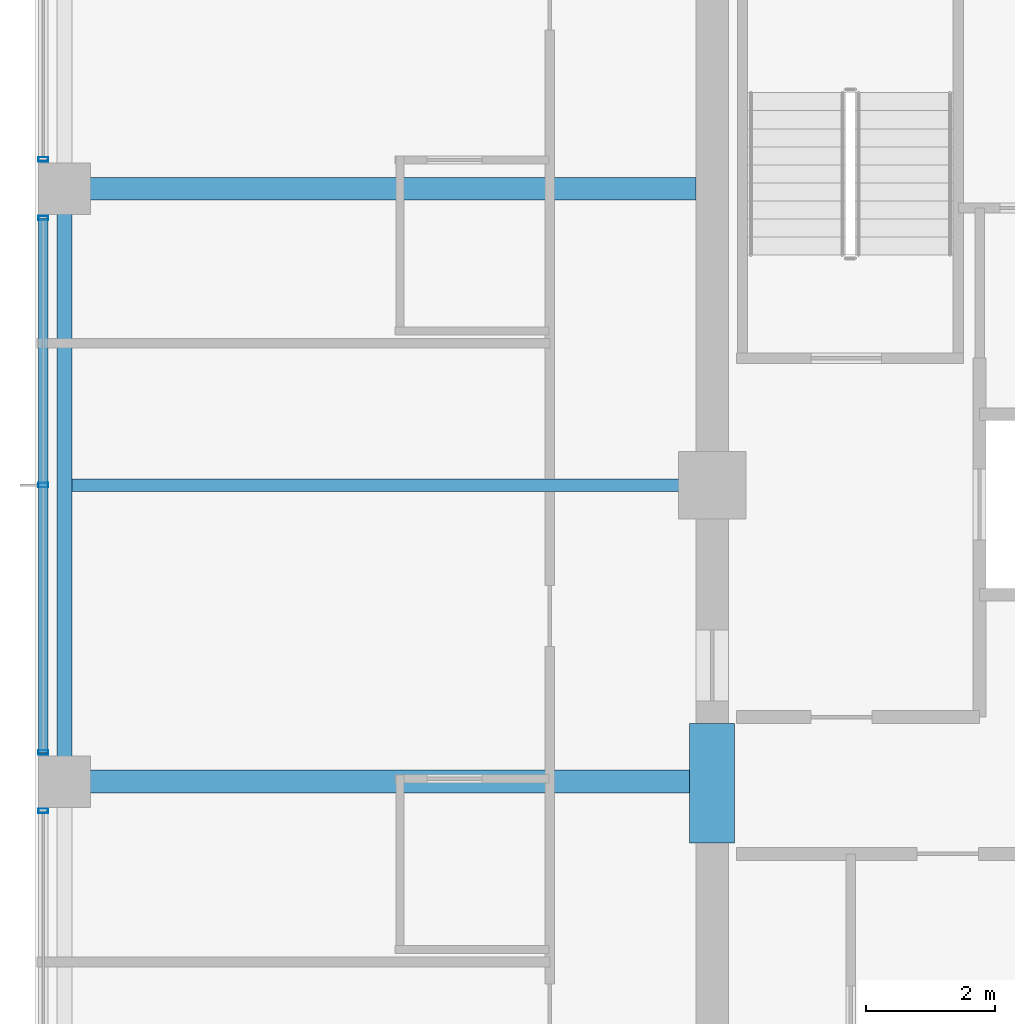
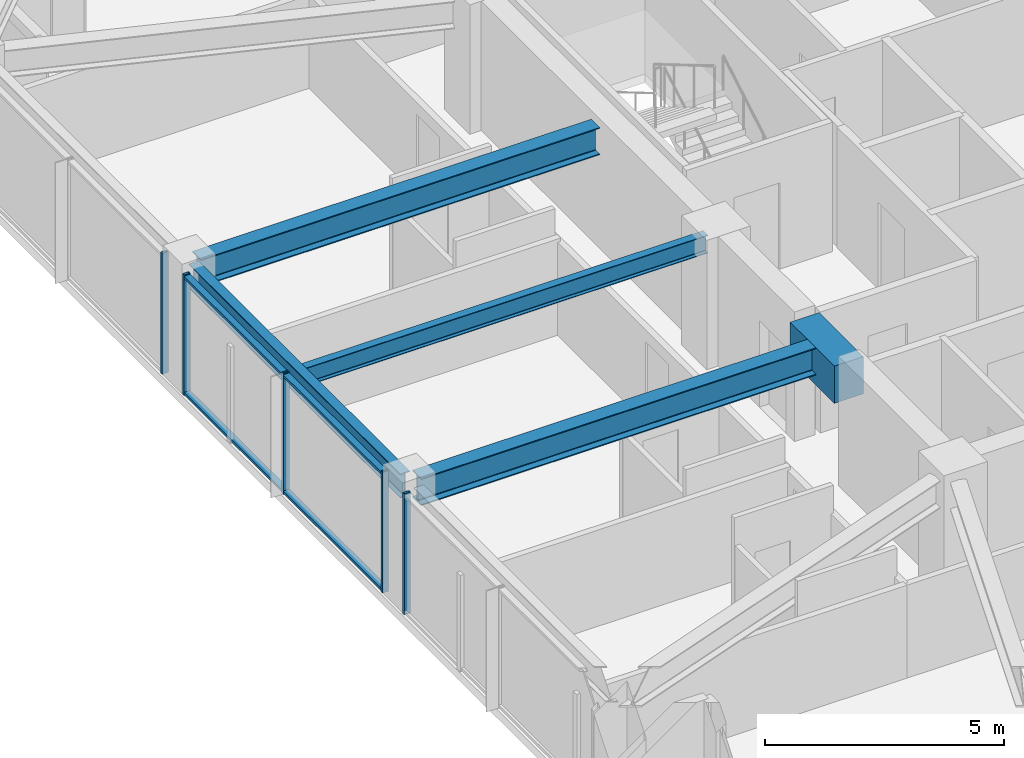
# One storey, part 9 of 36: 7 members, 5 beams, 3 elements without a shape of their own.
"""IFC4 building model written with IfcOpenShell, lengths in metres."""

from ifc_helpers import new_model, si_unit, direction, frame, origin, origin_2d, place, context, subcontext, project, spatial, rectangle, hollow_rectangle, i_section, extrude, material, material_profile, profile_set, type_object, element, aggregate, save


model = new_model("IFC4")

# Units and contexts
model_context = context("Model", 3, precision=1e-05, world=origin(), true_north=direction((0.0, 1.0)))
body_context = subcontext(model_context, "Body", "Model", "MODEL_VIEW")
ifc_project = project(units=[si_unit("LENGTHUNIT", "METRE"), si_unit("AREAUNIT", "SQUARE_METRE"), si_unit("VOLUMEUNIT", "CUBIC_METRE"), si_unit("PLANEANGLEUNIT", "RADIAN"), si_unit("MASSUNIT", "GRAM", prefix="KILO")], contexts=[model_context])

# Site, building, storey
site_placement = place(None, origin())
site = spatial("IfcSite", under=ifc_project, at=site_placement, CompositionType="ELEMENT")
building_placement = place(site_placement, origin())
building = spatial("IfcBuilding", under=site, at=building_placement, Name="Kolvaren Belvedere", CompositionType="ELEMENT")
storey_placement = place(building_placement, frame((0.0, 0.0, 199.800048828125)))
storey = spatial("IfcBuildingStorey", under=building, at=storey_placement, Name="L58", CompositionType="ELEMENT", Elevation=199.800048828125)

# Beams
ifc_material_1 = material(Name="Structural steel ASTM A992 Grade 50", Category="steel")
ifc_material_profile_1 = material_profile(ifc_material_1, i_section(OverallWidth=0.35498046875, OverallDepth=0.696044921875, WebThickness=0.015380859375, FlangeThickness=0.02490234375, FilletRadius=0.02197265625, at=origin_2d()), Name="W27X146")
ifc_profile_set_1 = profile_set([ifc_material_profile_1], Name="Structural steel ASTM A992 Grade 50")
beam_type_1 = type_object("IfcBeamType", Name="BM-GIRD-W27X146", PredefinedType="BEAM", material=ifc_profile_set_1)
for number, where, z_axis, x_axis, name in (
    (1, (-10.14990234375, 4.60009765625, 2.73193359375), (-1.0, 0.0, 0.0), (0.0, -1.0, 0.0), "L58 West Radial Girder P"),
    (2, (-10.14990234375, -4.60009765625, 2.73193359375), (-1.0, 0.0, 0.0), (0.0, -1.0, 0.0), "L58 West Radial Girder M"),
):
    element("IfcBeam", number, at=place(storey_placement, frame(where, z_axis=z_axis, x_axis=x_axis)), inside=storey, type_object=beam_type_1, Name=name, PredefinedType="BEAM", context=body_context, shape_type="SweptSolid", body=[
        extrude(i_section(OverallWidth=0.35498046875, OverallDepth=0.696044921875, WebThickness=0.015380859375, FlangeThickness=0.02490234375, FilletRadius=0.02197265625, at=origin_2d()), origin(), (0.0, 0.0, 1.0), 9.6201171875),
    ])
ifc_material_2 = material(Name="Structural steel ASTM A992 Grade 50", Category="steel")
ifc_material_profile_2 = material_profile(ifc_material_2, i_section(OverallWidth=0.19091796875, OverallDepth=0.4599609375, WebThickness=0.010009765625, FlangeThickness=0.01611328125, FilletRadius=0.014892578125, at=origin_2d()), Name="W18X55")
ifc_profile_set_2 = profile_set([ifc_material_profile_2], Name="Structural steel ASTM A992 Grade 50")
beam_type_2 = type_object("IfcBeamType", Name="BM-JOIST-W18X55", PredefinedType="BEAM", material=ifc_profile_set_2)
beam_1_placement = place(storey_placement, frame((-10.14990234375, 0.0, 2.849853515625), z_axis=(-1.0, 0.0, 0.0), x_axis=(0.0, -1.0, 0.0)))
element("IfcBeam", 3, at=beam_1_placement, inside=storey, type_object=beam_type_2, Name="L58 West Centre Floor Beam", PredefinedType="BEAM", context=body_context, shape_type="SweptSolid", body=[
    extrude(i_section(OverallWidth=0.19091796875, OverallDepth=0.4599609375, WebThickness=0.010009765625, FlangeThickness=0.01611328125, FilletRadius=0.014892578125, at=origin_2d()), origin(), (0.0, 0.0, 1.0), 9.685546875),
])
ifc_material_3 = material(Name="Concrete C60/75", Category="concrete")
ifc_material_profile_3 = material_profile(ifc_material_3, rectangle(XDim=0.699951171875, YDim=0.949951171875, at=origin_2d()), Name="RC 700X950")
ifc_profile_set_3 = profile_set([ifc_material_profile_3], Name="Concrete C60/75")
beam_type_3 = type_object("IfcBeamType", Name="BM-LINT-950", PredefinedType="LINTEL", material=ifc_profile_set_3)
beam_2_placement = place(storey_placement, frame((-9.89990234375, -5.550048828125, 2.60498046875), z_axis=(0.0, 1.0, 0.0), x_axis=(-1.0, 0.0, 0.0)))
element("IfcBeam", 4, at=beam_2_placement, inside=storey, type_object=beam_type_3, Name="L58 West Core Coupling Lintel", PredefinedType="LINTEL", context=body_context, shape_type="SweptSolid", body=[
    extrude(rectangle(XDim=0.699951171875, YDim=0.949951171875, at=origin_2d()), origin(), (0.0, 0.0, 1.0), 1.85009765625),
])
ifc_material_4 = material(Name="Structural steel ASTM A992 Grade 50", Category="steel")
ifc_material_profile_4 = material_profile(ifc_material_4, i_section(OverallWidth=0.22900390625, OverallDepth=0.612060546875, WebThickness=0.011962890625, FlangeThickness=0.01953125, FilletRadius=0.01806640625, at=origin_2d()), Name="W24X84")
ifc_profile_set_4 = profile_set([ifc_material_profile_4], Name="Structural steel ASTM A992 Grade 50")
beam_type_4 = type_object("IfcBeamType", Name="BM-SPAN-W24X84", PredefinedType="SPANDREL", material=ifc_profile_set_4)
beam_3_placement = place(storey_placement, frame((-19.949951171875, 4.419921875, 2.77392578125), z_axis=(0.0, -1.0, 0.0), x_axis=(1.0, 0.0, 0.0)))
element("IfcBeam", 5, at=beam_3_placement, inside=storey, type_object=beam_type_4, Name="L58 Perimeter Spandrel W3-W2", PredefinedType="SPANDREL", context=body_context, shape_type="SweptSolid", body=[
    extrude(i_section(OverallWidth=0.22900390625, OverallDepth=0.612060546875, WebThickness=0.011962890625, FlangeThickness=0.01953125, FilletRadius=0.01806640625, at=origin_2d()), origin(), (0.0, 0.0, 1.0), 8.83984375),
])

# Curtain wall, member
ifc_material_5 = material(Name="Anodised pale-metal aluminium AA 6063-T6", Category="aluminium")
curtain_wall_type = type_object("IfcCurtainWallType", Name="CW-Z5-HIGH", PredefinedType="NOTDEFINED", material=ifc_material_5)
curtain_wall_1_placement = place(storey_placement, origin())
curtain_wall_1 = element("IfcCurtainWall", 6, at=curtain_wall_1_placement, inside=storey, type_object=curtain_wall_type, Name="L58 Unitised Curtain Wall FCW-L58-W-B1", PredefinedType="NOTDEFINED")
ifc_material_6 = material(Name="Anodised pale-metal aluminium AA 6063-T6", Category="aluminium")
ifc_material_profile_5 = material_profile(ifc_material_6, hollow_rectangle(XDim=0.070068359375, YDim=0.14990234375, WallThickness=0.004150390625, at=origin_2d()), Name="ALU-MUL-150X70")
ifc_profile_set_5 = profile_set([ifc_material_profile_5], Name="Anodised pale-metal aluminium AA 6063-T6")
member_type_1 = type_object("IfcMemberType", Name="CW-MUL-150", PredefinedType="MULLION", material=ifc_profile_set_5)
member_1_placement = place(storey_placement, frame((-20.280029296875, -5.054931640625, 0.0), z_axis=(0.0, 0.0, 1.0), x_axis=(0.0, 1.0, 0.0)))
member_1 = element("IfcMember", 7, at=member_1_placement, type_object=member_type_1, Name="FCW-L58-W-B1 Unitised Mullion 3", PredefinedType="MULLION", context=body_context, shape_type="SweptSolid", body=[
    extrude(hollow_rectangle(XDim=0.070068359375, YDim=0.14990234375, WallThickness=0.004150390625, at=origin_2d()), origin(), (0.0, 0.0, 1.0), 3.079833984375),
])
aggregate(curtain_wall_1, [member_1])

# Curtain wall, members
curtain_wall_2_placement = place(storey_placement, origin())
curtain_wall_2 = element("IfcCurtainWall", 8, at=curtain_wall_2_placement, inside=storey, type_object=curtain_wall_type, Name="L58 Unitised Curtain Wall FCW-L58-W-B2", PredefinedType="NOTDEFINED")
member_2_placement = place(storey_placement, frame((-20.280029296875, -4.14501953125, 0.0), z_axis=(0.0, 0.0, 1.0), x_axis=(0.0, 1.0, 0.0)))
member_2 = element("IfcMember", 9, at=member_2_placement, type_object=member_type_1, Name="FCW-L58-W-B2 Unitised Mullion 1", PredefinedType="MULLION", context=body_context, shape_type="SweptSolid", body=[
    extrude(hollow_rectangle(XDim=0.070068359375, YDim=0.14990234375, WallThickness=0.004150390625, at=origin_2d()), origin(), (0.0, 0.0, 1.0), 3.079833984375),
])
member_3_placement = place(storey_placement, frame((-20.280029296875, 0.0, 0.0), z_axis=(0.0, 0.0, 1.0), x_axis=(0.0, 1.0, 0.0)))
member_3 = element("IfcMember", 10, at=member_3_placement, type_object=member_type_1, Name="FCW-L58-W-B2 Unitised Mullion 2", PredefinedType="MULLION", context=body_context, shape_type="SweptSolid", body=[
    extrude(hollow_rectangle(XDim=0.070068359375, YDim=0.14990234375, WallThickness=0.004150390625, at=origin_2d()), origin(), (0.0, 0.0, 1.0), 3.079833984375),
])
member_4_placement = place(storey_placement, frame((-20.280029296875, 4.14501953125, 0.0), z_axis=(0.0, 0.0, 1.0), x_axis=(0.0, 1.0, 0.0)))
member_4 = element("IfcMember", 11, at=member_4_placement, type_object=member_type_1, Name="FCW-L58-W-B2 Unitised Mullion 3", PredefinedType="MULLION", context=body_context, shape_type="SweptSolid", body=[
    extrude(hollow_rectangle(XDim=0.070068359375, YDim=0.14990234375, WallThickness=0.004150390625, at=origin_2d()), origin(), (0.0, 0.0, 1.0), 3.079833984375),
])

# Curtain wall, member
curtain_wall_3_placement = place(storey_placement, origin())
curtain_wall_3 = element("IfcCurtainWall", 12, at=curtain_wall_3_placement, inside=storey, type_object=curtain_wall_type, Name="L58 Unitised Curtain Wall FCW-L58-W-B3", PredefinedType="NOTDEFINED")
member_5_placement = place(storey_placement, frame((-20.280029296875, 5.054931640625, 0.0), z_axis=(0.0, 0.0, 1.0), x_axis=(0.0, 1.0, 0.0)))
member_5 = element("IfcMember", 13, at=member_5_placement, type_object=member_type_1, Name="FCW-L58-W-B3 Unitised Mullion 1", PredefinedType="MULLION", context=body_context, shape_type="SweptSolid", body=[
    extrude(hollow_rectangle(XDim=0.070068359375, YDim=0.14990234375, WallThickness=0.004150390625, at=origin_2d()), origin(), (0.0, 0.0, 1.0), 3.079833984375),
])
aggregate(curtain_wall_3, [member_5])

# Member
ifc_material_7 = material(Name="Anodised pale-metal aluminium AA 6063-T6", Category="aluminium")
ifc_material_profile_6 = material_profile(ifc_material_7, hollow_rectangle(XDim=0.06494140625, YDim=0.14990234375, WallThickness=0.00390625, at=origin_2d()), Name="ALU-TRN-150X65")
ifc_profile_set_6 = profile_set([ifc_material_profile_6], Name="Anodised pale-metal aluminium AA 6063-T6")
member_type_2 = type_object("IfcMemberType", Name="CW-TRN-150", PredefinedType="USERDEFINED", material=ifc_profile_set_6)
member_6_placement = place(storey_placement, frame((-20.280029296875, -4.14501953125, 0.06005859375), z_axis=(0.0, 1.0, 0.0), x_axis=(0.0, 0.0, 1.0)))
member_6 = element("IfcMember", 14, at=member_6_placement, type_object=member_type_2, Name="FCW-L58-W-B2 Sill Transom", ObjectType="TRANSOM", PredefinedType="USERDEFINED", context=body_context, shape_type="SweptSolid", body=[
    extrude(hollow_rectangle(XDim=0.06494140625, YDim=0.14990234375, WallThickness=0.00390625, at=origin_2d()), origin(), (0.0, 0.0, 1.0), 8.2900390625),
])

member_7_placement = place(storey_placement, frame((-20.280029296875, -4.14501953125, 3.02001953125), z_axis=(0.0, 1.0, 0.0), x_axis=(0.0, 0.0, 1.0)))
member_7 = element("IfcMember", 15, at=member_7_placement, type_object=member_type_2, Name="FCW-L58-W-B2 Head Transom", ObjectType="TRANSOM", PredefinedType="USERDEFINED", context=body_context, shape_type="SweptSolid", body=[
    extrude(hollow_rectangle(XDim=0.06494140625, YDim=0.14990234375, WallThickness=0.00390625, at=origin_2d()), origin(), (0.0, 0.0, 1.0), 8.2900390625),
])

aggregate(curtain_wall_2, [member_2, member_3, member_4, member_6, member_7])

save(model, "model.ifc")
